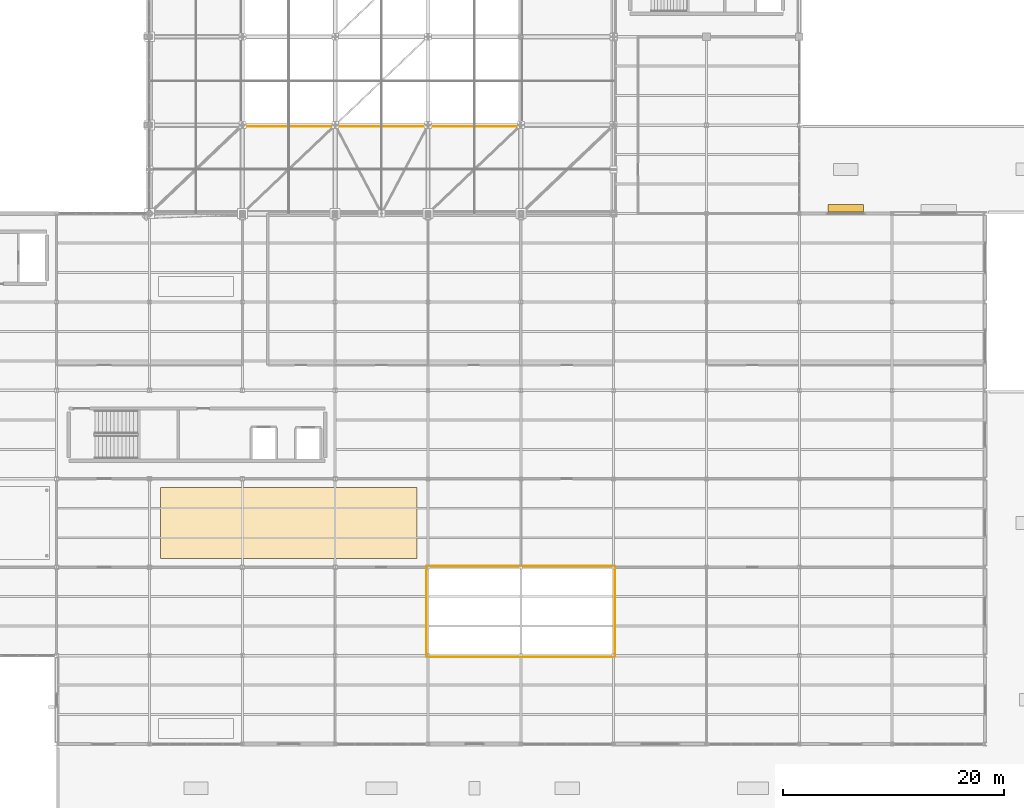
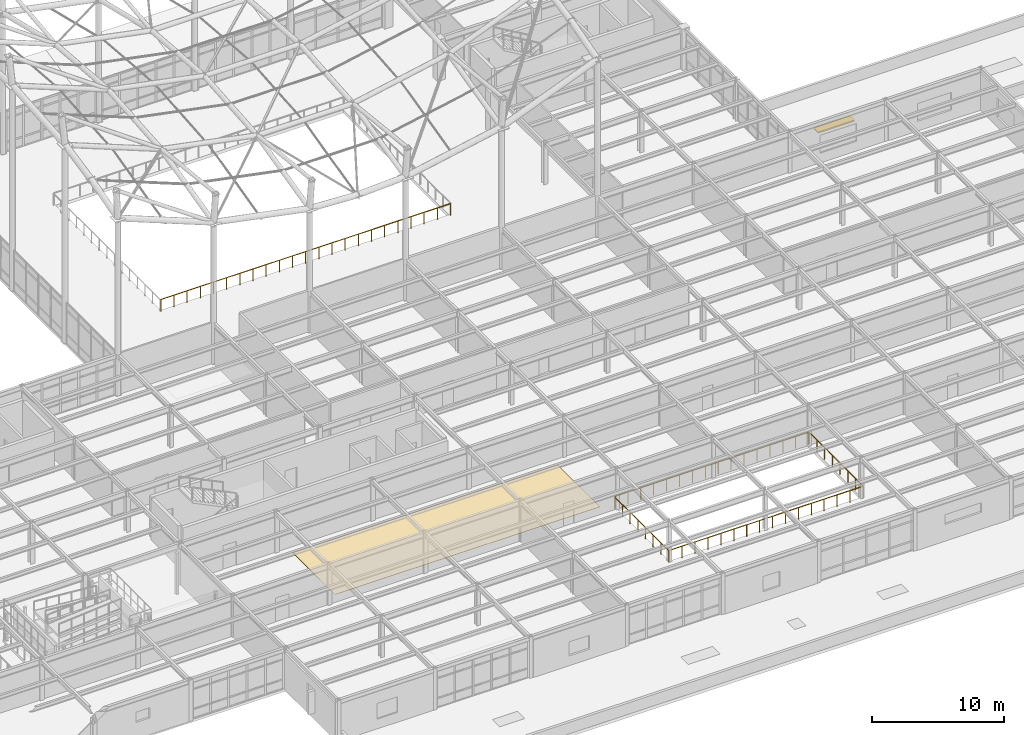
# One storey, part 132 of 138: 5 railings, 1 covering, 1 shading device.
"""IFC4 building model written with IfcOpenShell, lengths in metres."""

from ifc_helpers import new_model, si_unit, direction, frame, origin, origin_2d, place, context, subcontext, project, spatial, polyline, rectangle, circle, outline, extrude, material, layer, layer_set, type_object, element, save


model = new_model("IFC4")

# Units and contexts
model_context = context("Model", 3, precision=1e-05, world=origin(), true_north=direction((0.0, 1.0)))
body_context = subcontext(model_context, "Body", "Model", "MODEL_VIEW")
ifc_project = project(units=[si_unit("LENGTHUNIT", "METRE"), si_unit("AREAUNIT", "SQUARE_METRE"), si_unit("VOLUMEUNIT", "CUBIC_METRE"), si_unit("PLANEANGLEUNIT", "RADIAN"), si_unit("MASSUNIT", "GRAM", prefix="KILO")], contexts=[model_context])

# Site, building, storey
site_placement = place(None, origin())
site = spatial("IfcSite", under=ifc_project, at=site_placement, CompositionType="ELEMENT")
building_placement = place(site_placement, origin())
building = spatial("IfcBuilding", under=site, at=building_placement, Name="Kranzveld Transit Interchange", CompositionType="ELEMENT")
storey_placement = place(building_placement, frame((0.0, 0.0, 5.43994140625)))
storey = spatial("IfcBuildingStorey", under=building, at=storey_placement, Name="L01", CompositionType="ELEMENT", Elevation=5.43994140625)

# Railings
ifc_material_1 = material(Name="Steel S355JR", Category="steel")
railing_type = type_object("IfcRailingType", Name="Atrium Void Guardrail 1100", PredefinedType="GUARDRAIL", material=ifc_material_1)
railing_1_placement = place(storey_placement, frame((67.1201171875, 63.8798828125, 0.0)))
element("IfcRailing", 1, at=railing_1_placement, inside=storey, type_object=railing_type, Name="L01 Atrium Void Guardrail VOID_L01_CONC-24", PredefinedType="GUARDRAIL", context=body_context, shape_type="SweptSolid", body=[
    extrude(circle(Radius=0.02392578125, at=origin_2d()), frame((0.0, 0.0, 1.076171875), z_axis=(1.0, 0.0, 0.0), x_axis=(0.0, 1.0, 0.0)), (0.0, 0.0, 1.0), 25.35986328125),
    extrude(circle(Radius=0.02099609375, at=origin_2d()), origin(), (0.0, 0.0, 1.0), 1.050048828125),
    extrude(circle(Radius=0.02099609375, at=origin_2d()), frame((1.15283203125, 0.0, 0.0)), (0.0, 0.0, 1.0), 1.050048828125),
    extrude(circle(Radius=0.02099609375, at=origin_2d()), frame((2.305419921875, 0.0, 0.0)), (0.0, 0.0, 1.0), 1.050048828125),
    extrude(circle(Radius=0.02099609375, at=origin_2d()), frame((3.458251953125, 0.0, 0.0)), (0.0, 0.0, 1.0), 1.050048828125),
    extrude(circle(Radius=0.02099609375, at=origin_2d()), frame((4.61083984375, 0.0, 0.0)), (0.0, 0.0, 1.0), 1.050048828125),
    extrude(circle(Radius=0.02099609375, at=origin_2d()), frame((5.763671875, 0.0, 0.0)), (0.0, 0.0, 1.0), 1.050048828125),
    extrude(circle(Radius=0.02099609375, at=origin_2d()), frame((6.916259765625, 0.0, 0.0)), (0.0, 0.0, 1.0), 1.050048828125),
    extrude(circle(Radius=0.02099609375, at=origin_2d()), frame((8.069091796875, 0.0, 0.0)), (0.0, 0.0, 1.0), 1.050048828125),
    extrude(circle(Radius=0.02099609375, at=origin_2d()), frame((9.2216796875, 0.0, 0.0)), (0.0, 0.0, 1.0), 1.050048828125),
    extrude(circle(Radius=0.02099609375, at=origin_2d()), frame((10.37451171875, 0.0, 0.0)), (0.0, 0.0, 1.0), 1.050048828125),
    extrude(circle(Radius=0.02099609375, at=origin_2d()), frame((11.527099609375, 0.0, 0.0)), (0.0, 0.0, 1.0), 1.050048828125),
    extrude(circle(Radius=0.02099609375, at=origin_2d()), frame((12.679931640625, 0.0, 0.0)), (0.0, 0.0, 1.0), 1.050048828125),
    extrude(circle(Radius=0.02099609375, at=origin_2d()), frame((13.832763671875, 0.0, 0.0)), (0.0, 0.0, 1.0), 1.050048828125),
    extrude(circle(Radius=0.02099609375, at=origin_2d()), frame((14.9853515625, 0.0, 0.0)), (0.0, 0.0, 1.0), 1.050048828125),
    extrude(circle(Radius=0.02099609375, at=origin_2d()), frame((16.13818359375, 0.0, 0.0)), (0.0, 0.0, 1.0), 1.050048828125),
    extrude(circle(Radius=0.02099609375, at=origin_2d()), frame((17.290771484375, 0.0, 0.0)), (0.0, 0.0, 1.0), 1.050048828125),
    extrude(circle(Radius=0.02099609375, at=origin_2d()), frame((18.443603515625, 0.0, 0.0)), (0.0, 0.0, 1.0), 1.050048828125),
    extrude(circle(Radius=0.02099609375, at=origin_2d()), frame((19.59619140625, 0.0, 0.0)), (0.0, 0.0, 1.0), 1.050048828125),
    extrude(circle(Radius=0.02099609375, at=origin_2d()), frame((20.7490234375, 0.0, 0.0)), (0.0, 0.0, 1.0), 1.050048828125),
    extrude(circle(Radius=0.02099609375, at=origin_2d()), frame((21.901611328125, 0.0, 0.0)), (0.0, 0.0, 1.0), 1.050048828125),
    extrude(circle(Radius=0.02099609375, at=origin_2d()), frame((23.054443359375, 0.0, 0.0)), (0.0, 0.0, 1.0), 1.050048828125),
    extrude(circle(Radius=0.02099609375, at=origin_2d()), frame((24.20703125, 0.0, 0.0)), (0.0, 0.0, 1.0), 1.050048828125),
    extrude(circle(Radius=0.02099609375, at=origin_2d()), frame((25.35986328125, 0.0, 0.0)), (0.0, 0.0, 1.0), 1.050048828125),
])
railing_2_placement = place(storey_placement, frame((100.919921875, 15.919921875, 0.0)))
element("IfcRailing", 2, at=railing_2_placement, inside=storey, type_object=railing_type, Name="L01 Atrium Void Guardrail VOID_L01_BUS-25", PredefinedType="GUARDRAIL", context=body_context, shape_type="SweptSolid", body=[
    extrude(circle(Radius=0.02392578125, at=origin_2d()), frame((0.0, 0.0, 1.076171875), z_axis=(0.0, 1.0, 0.0), x_axis=(-1.0, 0.0, 0.0)), (0.0, 0.0, 1.0), 8.16015625),
    extrude(circle(Radius=0.02099609375, at=origin_2d()), origin(), (0.0, 0.0, 1.0), 1.050048828125),
    extrude(circle(Radius=0.02099609375, at=origin_2d()), frame((0.0, 1.165771484375, 0.0)), (0.0, 0.0, 1.0), 1.050048828125),
    extrude(circle(Radius=0.02099609375, at=origin_2d()), frame((0.0, 2.33154296875, 0.0)), (0.0, 0.0, 1.0), 1.050048828125),
    extrude(circle(Radius=0.02099609375, at=origin_2d()), frame((0.0, 3.497314453125, 0.0)), (0.0, 0.0, 1.0), 1.050048828125),
    extrude(circle(Radius=0.02099609375, at=origin_2d()), frame((0.0, 4.662841796875, 0.0)), (0.0, 0.0, 1.0), 1.050048828125),
    extrude(circle(Radius=0.02099609375, at=origin_2d()), frame((0.0, 5.82861328125, 0.0)), (0.0, 0.0, 1.0), 1.050048828125),
    extrude(circle(Radius=0.02099609375, at=origin_2d()), frame((0.0, 6.994384765625, 0.0)), (0.0, 0.0, 1.0), 1.050048828125),
    extrude(circle(Radius=0.02099609375, at=origin_2d()), frame((0.0, 8.16015625, 0.0)), (0.0, 0.0, 1.0), 1.050048828125),
])
railing_3_placement = place(storey_placement, frame((100.8798828125, 24.1201171875, 0.0)))
element("IfcRailing", 3, at=railing_3_placement, inside=storey, type_object=railing_type, Name="L01 Atrium Void Guardrail VOID_L01_BUS-26", PredefinedType="GUARDRAIL", context=body_context, shape_type="SweptSolid", body=[
    extrude(circle(Radius=0.02392578125, at=origin_2d()), frame((0.0, 0.0, 1.076171875), z_axis=(-1.0, 0.0, 0.0), x_axis=(0.0, -1.0, 0.0)), (0.0, 0.0, 1.0), 16.9599609375),
    extrude(circle(Radius=0.02099609375, at=origin_2d()), origin(), (0.0, 0.0, 1.0), 1.050048828125),
    extrude(circle(Radius=0.02099609375, at=origin_2d()), frame((-1.130615234375, 0.0, 0.0)), (0.0, 0.0, 1.0), 1.050048828125),
    extrude(circle(Radius=0.02099609375, at=origin_2d()), frame((-2.26123046875, 0.0, 0.0)), (0.0, 0.0, 1.0), 1.050048828125),
    extrude(circle(Radius=0.02099609375, at=origin_2d()), frame((-3.39208984375, 0.0, 0.0)), (0.0, 0.0, 1.0), 1.050048828125),
    extrude(circle(Radius=0.02099609375, at=origin_2d()), frame((-4.522705078125, 0.0, 0.0)), (0.0, 0.0, 1.0), 1.050048828125),
    extrude(circle(Radius=0.02099609375, at=origin_2d()), frame((-5.6533203125, 0.0, 0.0)), (0.0, 0.0, 1.0), 1.050048828125),
    extrude(circle(Radius=0.02099609375, at=origin_2d()), frame((-6.783935546875, 0.0, 0.0)), (0.0, 0.0, 1.0), 1.050048828125),
    extrude(circle(Radius=0.02099609375, at=origin_2d()), frame((-7.91455078125, 0.0, 0.0)), (0.0, 0.0, 1.0), 1.050048828125),
    extrude(circle(Radius=0.02099609375, at=origin_2d()), frame((-9.04541015625, 0.0, 0.0)), (0.0, 0.0, 1.0), 1.050048828125),
    extrude(circle(Radius=0.02099609375, at=origin_2d()), frame((-10.176025390625, 0.0, 0.0)), (0.0, 0.0, 1.0), 1.050048828125),
    extrude(circle(Radius=0.02099609375, at=origin_2d()), frame((-11.306640625, 0.0, 0.0)), (0.0, 0.0, 1.0), 1.050048828125),
    extrude(circle(Radius=0.02099609375, at=origin_2d()), frame((-12.437255859375, 0.0, 0.0)), (0.0, 0.0, 1.0), 1.050048828125),
    extrude(circle(Radius=0.02099609375, at=origin_2d()), frame((-13.56787109375, 0.0, 0.0)), (0.0, 0.0, 1.0), 1.050048828125),
    extrude(circle(Radius=0.02099609375, at=origin_2d()), frame((-14.69873046875, 0.0, 0.0)), (0.0, 0.0, 1.0), 1.050048828125),
    extrude(circle(Radius=0.02099609375, at=origin_2d()), frame((-15.829345703125, 0.0, 0.0)), (0.0, 0.0, 1.0), 1.050048828125),
    extrude(circle(Radius=0.02099609375, at=origin_2d()), frame((-16.9599609375, 0.0, 0.0)), (0.0, 0.0, 1.0), 1.050048828125),
])
railing_4_placement = place(storey_placement, frame((83.8798828125, 24.080078125, 0.0)))
element("IfcRailing", 4, at=railing_4_placement, inside=storey, type_object=railing_type, Name="L01 Atrium Void Guardrail VOID_L01_BUS-27", PredefinedType="GUARDRAIL", context=body_context, shape_type="SweptSolid", body=[
    extrude(circle(Radius=0.02392578125, at=origin_2d()), frame((0.0, 0.0, 1.076171875), z_axis=(0.0, -1.0, 0.0), x_axis=(1.0, 0.0, 0.0)), (0.0, 0.0, 1.0), 8.16015625),
    extrude(circle(Radius=0.02099609375, at=origin_2d()), origin(), (0.0, 0.0, 1.0), 1.050048828125),
    extrude(circle(Radius=0.02099609375, at=origin_2d()), frame((0.0, -1.165771484375, 0.0)), (0.0, 0.0, 1.0), 1.050048828125),
    extrude(circle(Radius=0.02099609375, at=origin_2d()), frame((0.0, -2.33154296875, 0.0)), (0.0, 0.0, 1.0), 1.050048828125),
    extrude(circle(Radius=0.02099609375, at=origin_2d()), frame((0.0, -3.497314453125, 0.0)), (0.0, 0.0, 1.0), 1.050048828125),
    extrude(circle(Radius=0.02099609375, at=origin_2d()), frame((0.0, -4.662841796875, 0.0)), (0.0, 0.0, 1.0), 1.050048828125),
    extrude(circle(Radius=0.02099609375, at=origin_2d()), frame((0.0, -5.82861328125, 0.0)), (0.0, 0.0, 1.0), 1.050048828125),
    extrude(circle(Radius=0.02099609375, at=origin_2d()), frame((0.0, -6.994384765625, 0.0)), (0.0, 0.0, 1.0), 1.050048828125),
    extrude(circle(Radius=0.02099609375, at=origin_2d()), frame((0.0, -8.16015625, 0.0)), (0.0, 0.0, 1.0), 1.050048828125),
])
railing_5_placement = place(storey_placement, frame((83.919921875, 15.8798828125, 0.0)))
element("IfcRailing", 5, at=railing_5_placement, inside=storey, type_object=railing_type, Name="L01 Atrium Void Guardrail VOID_L01_BUS-28", PredefinedType="GUARDRAIL", context=body_context, shape_type="SweptSolid", body=[
    extrude(circle(Radius=0.02392578125, at=origin_2d()), frame((0.0, 0.0, 1.076171875), z_axis=(1.0, 0.0, 0.0), x_axis=(0.0, 1.0, 0.0)), (0.0, 0.0, 1.0), 16.9599609375),
    extrude(circle(Radius=0.02099609375, at=origin_2d()), origin(), (0.0, 0.0, 1.0), 1.050048828125),
    extrude(circle(Radius=0.02099609375, at=origin_2d()), frame((1.130615234375, 0.0, 0.0)), (0.0, 0.0, 1.0), 1.050048828125),
    extrude(circle(Radius=0.02099609375, at=origin_2d()), frame((2.26123046875, 0.0, 0.0)), (0.0, 0.0, 1.0), 1.050048828125),
    extrude(circle(Radius=0.02099609375, at=origin_2d()), frame((3.39208984375, 0.0, 0.0)), (0.0, 0.0, 1.0), 1.050048828125),
    extrude(circle(Radius=0.02099609375, at=origin_2d()), frame((4.522705078125, 0.0, 0.0)), (0.0, 0.0, 1.0), 1.050048828125),
    extrude(circle(Radius=0.02099609375, at=origin_2d()), frame((5.6533203125, 0.0, 0.0)), (0.0, 0.0, 1.0), 1.050048828125),
    extrude(circle(Radius=0.02099609375, at=origin_2d()), frame((6.783935546875, 0.0, 0.0)), (0.0, 0.0, 1.0), 1.050048828125),
    extrude(circle(Radius=0.02099609375, at=origin_2d()), frame((7.91455078125, 0.0, 0.0)), (0.0, 0.0, 1.0), 1.050048828125),
    extrude(circle(Radius=0.02099609375, at=origin_2d()), frame((9.04541015625, 0.0, 0.0)), (0.0, 0.0, 1.0), 1.050048828125),
    extrude(circle(Radius=0.02099609375, at=origin_2d()), frame((10.176025390625, 0.0, 0.0)), (0.0, 0.0, 1.0), 1.050048828125),
    extrude(circle(Radius=0.02099609375, at=origin_2d()), frame((11.306640625, 0.0, 0.0)), (0.0, 0.0, 1.0), 1.050048828125),
    extrude(circle(Radius=0.02099609375, at=origin_2d()), frame((12.437255859375, 0.0, 0.0)), (0.0, 0.0, 1.0), 1.050048828125),
    extrude(circle(Radius=0.02099609375, at=origin_2d()), frame((13.56787109375, 0.0, 0.0)), (0.0, 0.0, 1.0), 1.050048828125),
    extrude(circle(Radius=0.02099609375, at=origin_2d()), frame((14.69873046875, 0.0, 0.0)), (0.0, 0.0, 1.0), 1.050048828125),
    extrude(circle(Radius=0.02099609375, at=origin_2d()), frame((15.829345703125, 0.0, 0.0)), (0.0, 0.0, 1.0), 1.050048828125),
    extrude(circle(Radius=0.02099609375, at=origin_2d()), frame((16.9599609375, 0.0, 0.0)), (0.0, 0.0, 1.0), 1.050048828125),
])

# Covering
ifc_material_2 = material(Name="Pretoria red-purple clinker clay face brick, 35 MPa", Category="masonry")
ifc_layer = layer(ifc_material_2, 0.030029296875)
ifc_layer_set = layer_set([ifc_layer], Name="Pretoria red-purple clinker clay face brick, 35 MPa")
covering_type = type_object("IfcCoveringType", Name="Heavy-Duty Transit Quarry Tile Flooring 30", PredefinedType="FLOORING", material=ifc_layer_set)
covering_placement = place(storey_placement, origin())
element("IfcCovering", 6, at=covering_placement, inside=storey, type_object=covering_type, Name="BRT Waiting Lounge Quarry Tile", PredefinedType="FLOORING", context=body_context, shape_type="SweptSolid", body=[
    extrude(outline(polyline([(59.800048828125, 24.800048828125), (83.0, 24.800048828125), (83.0, 31.199951171875), (59.800048828125, 31.199951171875), (59.800048828125, 24.800048828125)])), origin(), (0.0, 0.0, 1.0), 0.030029296875),
])

# Shading device
ifc_material_3 = material(Name="Bronze-anodised thermally broken aluminium", Category="aluminium")
shading_device_type = type_object("IfcShadingDeviceType", Name="North Overhang Solar Louvre Brise-Soleil", PredefinedType="JALOUSIE", material=ifc_material_3)
shading_device_placement = place(storey_placement, frame((121.800048828125, 56.47509765625, 2.550048828125), z_axis=(0.0, 0.0, 1.0), x_axis=(1.0, 0.0, 0.0)))
element("IfcShadingDevice", 7, at=shading_device_placement, inside=storey, type_object=shading_device_type, Name="L01 North Solar Louvre 15/H", PredefinedType="JALOUSIE", context=body_context, shape_type="SweptSolid", body=[
    extrude(rectangle(XDim=3.199951171875, YDim=0.64990234375, at=origin_2d()), origin(), (0.0, 0.0, 1.0), 0.1201171875),
])

save(model, "model.ifc")
